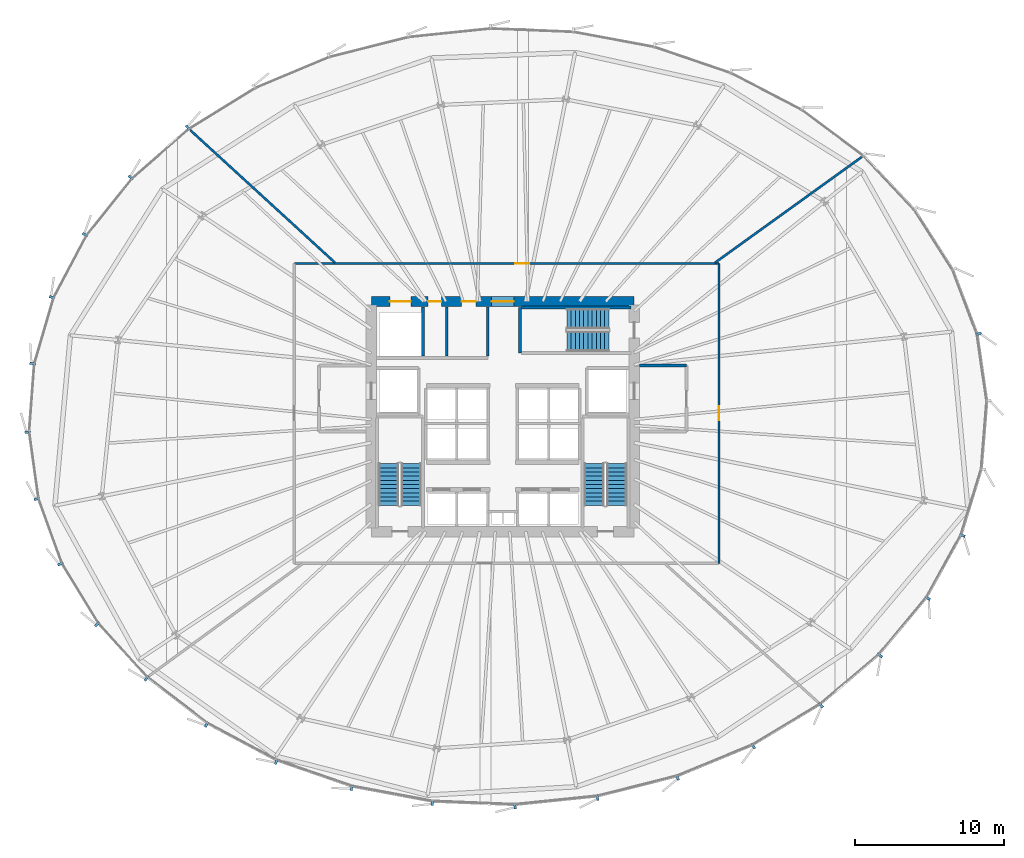
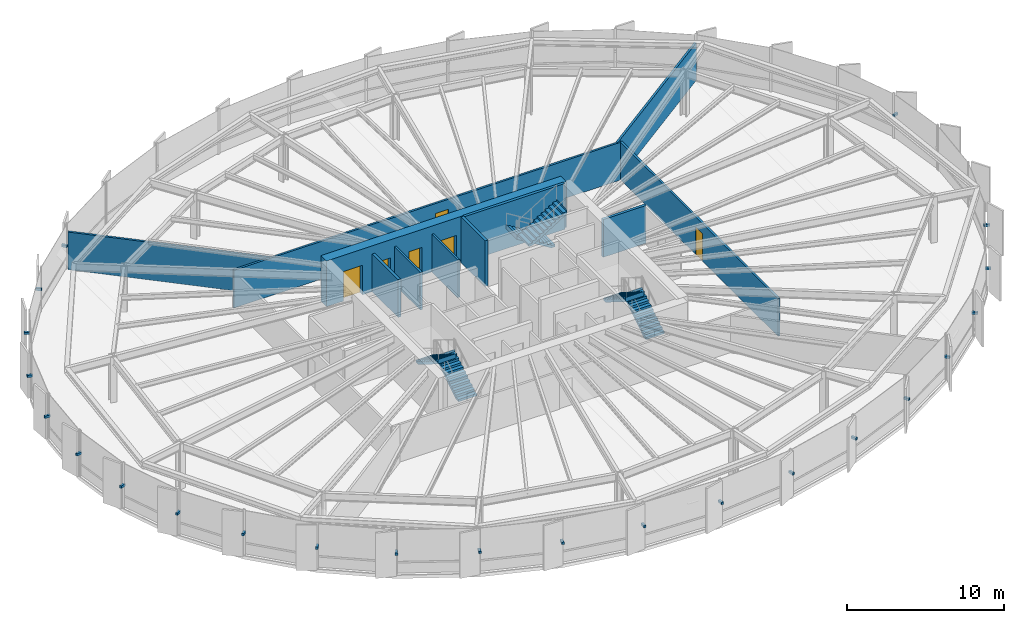
# One storey, part 35 of 42: 23 discrete accessories, 11 walls, 6 doors, 6 stair flights, 6 openings, 3 elements without a shape of their own.
"""IFC4 building model written with IfcOpenShell, lengths in metres."""

from ifc_helpers import new_model, si_unit, direction, frame, frame_2d, origin, origin_2d, place, context, subcontext, project, spatial, polyline, rectangle, outline, extrude, source, transform, mapped, material, layer, layer_set, type_object, element, fill, aggregate, save


model = new_model("IFC4")

# Units and contexts
model_context = context("Model", 3, precision=1e-05, world=origin(), true_north=direction((0.0, 1.0)))
body_context = subcontext(model_context, "Body", "Model", "MODEL_VIEW")
ifc_project = project(units=[si_unit("LENGTHUNIT", "METRE"), si_unit("AREAUNIT", "SQUARE_METRE"), si_unit("VOLUMEUNIT", "CUBIC_METRE"), si_unit("PLANEANGLEUNIT", "RADIAN"), si_unit("MASSUNIT", "GRAM", prefix="KILO"), si_unit("THERMODYNAMICTEMPERATUREUNIT", "KELVIN")], contexts=[model_context])

# Site, building, storey
site_placement = place(None, origin())
site = spatial("IfcSite", under=ifc_project, at=site_placement, CompositionType="ELEMENT")
building_placement = place(site_placement, origin())
building = spatial("IfcBuilding", under=site, at=building_placement, Name="Kethvar Cultural Tower", CompositionType="ELEMENT")
storey_placement = place(building_placement, frame((0.0, 0.0, 37.199951171875)))
storey = spatial("IfcBuildingStorey", under=building, at=storey_placement, Name="L08", CompositionType="ELEMENT", Elevation=37.199951171875)

# Wall, openings, doors
ifc_material_1 = material(Name="Concrete C60/75", Category="concrete")
ifc_layer_1 = layer(ifc_material_1, 0.699951171875, Name="Concrete C60/75", Category="concrete")
ifc_layer_set_1 = layer_set([ifc_layer_1], Name="Concrete C60/75 (700 mm)")
wall_type_1 = type_object("IfcWallType", Name="WL-CORE-700", PredefinedType="SHEAR", material=ifc_layer_set_1)
wall_1_placement = place(storey_placement, frame((55.60009765625, 35.5, 0.0), z_axis=(0.0, 0.0, 1.0), x_axis=(-1.0, 0.0, 0.0)))
wall_1 = element("IfcWall", 1, at=wall_1_placement, inside=storey, type_object=wall_type_1, Name="L08 Core Shear Wall N", PredefinedType="SHEAR", context=body_context, shape_type="SweptSolid", body=[
    extrude(rectangle(XDim=17.60009765625, YDim=0.699951171875, at=frame_2d((8.800048828125, 0.0))), origin(), (0.0, 0.0, 1.0), 3.550048828125),
])
opening_1_placement = place(wall_1_placement, frame((8.050048828125, 0.0, 0.0)))
opening_1 = element("IfcOpeningElement", 2, at=opening_1_placement, cuts=wall_1, Name="Opening D-L08-LN", PredefinedType="OPENING", context=body_context, shape_type="SweptSolid", body=[
    extrude(rectangle(XDim=1.5, YDim=2.199951171875, at=frame_2d((0.75, 1.10009765625))), frame((0.0, 0.35986328125, 0.0), z_axis=(0.0, -1.0, 0.0), x_axis=(1.0, 0.0, 0.0)), (0.0, 0.0, 1.0), 0.719970703125),
])
opening_2_placement = place(wall_1_placement, frame((14.949951171875, 0.0, 0.0)))
opening_2 = element("IfcOpeningElement", 3, at=opening_2_placement, cuts=wall_1, Name="Opening LD-G1", PredefinedType="OPENING", context=body_context, shape_type="SweptSolid", body=[
    extrude(rectangle(XDim=1.39990234375, YDim=2.300048828125, at=frame_2d((0.699951171875, 1.14990234375))), frame((0.0, 0.35986328125, 0.0), z_axis=(0.0, -1.0, 0.0), x_axis=(1.0, 0.0, 0.0)), (0.0, 0.0, 1.0), 0.719970703125),
])
opening_3_placement = place(wall_1_placement, frame((12.89990234375, 0.0, 0.0)))
opening_3 = element("IfcOpeningElement", 4, at=opening_3_placement, cuts=wall_1, Name="Opening D-L08-W1", PredefinedType="OPENING", context=body_context, shape_type="SweptSolid", body=[
    extrude(rectangle(XDim=0.89990234375, YDim=2.14990234375, at=frame_2d((0.449951171875, 1.074951171875))), frame((0.0, 0.35986328125, 0.0), z_axis=(0.0, -1.0, 0.0), x_axis=(1.0, 0.0, 0.0)), (0.0, 0.0, 1.0), 0.719970703125),
])
opening_4_placement = place(wall_1_placement, frame((10.60009765625, 0.0, 0.0)))
opening_4 = element("IfcOpeningElement", 5, at=opening_4_placement, cuts=wall_1, Name="Opening D-L08-W2", PredefinedType="OPENING", context=body_context, shape_type="SweptSolid", body=[
    extrude(rectangle(XDim=0.949951171875, YDim=2.14990234375, at=frame_2d((0.47509765625, 1.074951171875))), frame((0.0, 0.35986328125, 0.0), z_axis=(0.0, -1.0, 0.0), x_axis=(1.0, 0.0, 0.0)), (0.0, 0.0, 1.0), 0.719970703125),
])
ifc_material_2 = material(Name="Architectural Oak Timber", Category="wood")
door_type_1 = type_object("IfcDoorType", Name="DR-DBL-FD60-1500", OperationType="DOUBLE_DOOR_SINGLE_SWING", PredefinedType="DOOR", material=ifc_material_2)
shared_shape_1 = source(origin(), body_context, "Body", "SweptSolid", [
    extrude(rectangle(XDim=1.5, YDim=2.199951171875, at=frame_2d((0.75, 1.10009765625))), frame((0.0, 0.02490234375, 0.0), z_axis=(0.0, -1.0, 0.0), x_axis=(1.0, 0.0, 0.0)), (0.0, 0.0, 1.0), 0.050048828125),
])
door_1_placement = place(opening_1_placement, origin())
door_1 = element("IfcDoor", 6, at=door_1_placement, inside=storey, type_object=door_type_1, Name="L08 Lift Lobby Concourse Door", OperationType="DOUBLE_DOOR_SINGLE_SWING", OverallHeight=2.199951171875, OverallWidth=1.5, PredefinedType="DOOR", context=body_context, shape_type="MappedRepresentation", body=[
    mapped(shared_shape_1, transform((0.0, 0.0, 0.0), scale=1.0)),
])
fill(opening_1, door_1)
ifc_material_3 = material(Name="Steel S355J2", Category="steel")
door_type_2 = type_object("IfcDoorType", Name="DR-LIFT-SLIDE-1400", OperationType="NOTDEFINED", PredefinedType="DOOR", material=ifc_material_3)
shared_shape_2 = source(origin(), body_context, "Body", "SweptSolid", [
    extrude(rectangle(XDim=1.39990234375, YDim=2.300048828125, at=frame_2d((0.699951171875, 1.14990234375))), frame((0.0, 0.02490234375, 0.0), z_axis=(0.0, -1.0, 0.0), x_axis=(1.0, 0.0, 0.0)), (0.0, 0.0, 1.0), 0.050048828125),
])
door_2_placement = place(opening_2_placement, origin())
door_2 = element("IfcDoor", 7, at=door_2_placement, inside=storey, type_object=door_type_2, Name="L08 Goods Lift Landing Door", OperationType="SLIDING_TO_RIGHT", OverallHeight=2.300048828125, OverallWidth=1.39990234375, PredefinedType="DOOR", context=body_context, shape_type="MappedRepresentation", body=[
    mapped(shared_shape_2, transform((0.0, 0.0, 0.0), scale=1.0)),
])
fill(opening_2, door_2)
door_type_3 = type_object("IfcDoorType", Name="DR-FD30-950", OperationType="NOTDEFINED", PredefinedType="DOOR", material=ifc_material_2)
shared_shape_3 = source(origin(), body_context, "Body", "SweptSolid", [
    extrude(rectangle(XDim=0.949951171875, YDim=2.14990234375, at=frame_2d((0.47509765625, 1.074951171875))), frame((0.0, 0.02490234375, 0.0), z_axis=(0.0, -1.0, 0.0), x_axis=(1.0, 0.0, 0.0)), (0.0, 0.0, 1.0), 0.050048828125),
])
door_3_placement = place(opening_4_placement, origin())
door_3 = element("IfcDoor", 8, at=door_3_placement, inside=storey, type_object=door_type_3, Name="L08 Public Washroom Door", OperationType="SINGLE_SWING_RIGHT", OverallHeight=2.14990234375, OverallWidth=0.949951171875, PredefinedType="DOOR", context=body_context, shape_type="MappedRepresentation", body=[
    mapped(shared_shape_3, transform((0.0, 0.0, 0.0), scale=1.0)),
])
fill(opening_4, door_3)
door_type_4 = type_object("IfcDoorType", Name="DR-FD30-900", OperationType="NOTDEFINED", PredefinedType="DOOR", material=ifc_material_2)
shared_shape_4 = source(origin(), body_context, "Body", "SweptSolid", [
    extrude(rectangle(XDim=0.89990234375, YDim=2.14990234375, at=frame_2d((0.449951171875, 1.074951171875))), frame((0.0, 0.02490234375, 0.0), z_axis=(0.0, -1.0, 0.0), x_axis=(1.0, 0.0, 0.0)), (0.0, 0.0, 1.0), 0.050048828125),
])
door_4_placement = place(opening_3_placement, origin())
door_4 = element("IfcDoor", 9, at=door_4_placement, inside=storey, type_object=door_type_4, Name="L08 Accessible Washroom Door", OperationType="SINGLE_SWING_LEFT", OverallHeight=2.14990234375, OverallWidth=0.89990234375, PredefinedType="DOOR", context=body_context, shape_type="MappedRepresentation", body=[
    mapped(shared_shape_4, transform((0.0, 0.0, 0.0), scale=1.0)),
])
fill(opening_3, door_4)

# Wall
ifc_material_4 = material(Name="Gypsum Fireboard Partition")
ifc_layer_2 = layer(ifc_material_4, 0.14990234375, Name="Gypsum Fireboard Partition")
ifc_layer_set_2 = layer_set([ifc_layer_2], Name="Gypsum Fireboard Partition (150 mm)")
wall_type_2 = type_object("IfcWallType", Name="WL-FIRE-150", PredefinedType="PARTITIONING", material=ifc_layer_set_2)
wall_2_placement = place(storey_placement, frame((45.800048828125, 31.85009765625, 0.0), z_axis=(0.0, 0.0, 1.0), x_axis=(0.0, 1.0, 0.0)))
element("IfcWall", 10, at=wall_2_placement, inside=storey, type_object=wall_type_2, Name="L08 Sanitary Spine Wall", PredefinedType="PARTITIONING", context=body_context, shape_type="SweptSolid", body=[
    extrude(rectangle(XDim=3.289794921875, YDim=0.14990234375, at=frame_2d((1.64501953125, 0.0))), origin(), (0.0, 0.0, 1.0), 2.925048828125),
])

# Wall, opening, door
wall_3_placement = place(storey_placement, frame((61.27001953125, 17.97998046875, 0.0), z_axis=(0.0, 0.0, 1.0), x_axis=(0.0, 1.0, 0.0)))
wall_3 = element("IfcWall", 11, at=wall_3_placement, inside=storey, type_object=wall_type_2, Name="L08 Corridor Rated Wall E", PredefinedType="PARTITIONING", context=body_context, shape_type="SweptSolid", body=[
    extrude(rectangle(XDim=20.06005859375, YDim=0.14990234375, at=frame_2d((10.030029296875, 0.0))), origin(), (0.0, 0.0, 1.0), 2.925048828125),
])
opening_5_placement = place(wall_3_placement, frame((9.554931640625, 0.0, 0.0)))
opening_5 = element("IfcOpeningElement", 12, at=opening_5_placement, cuts=wall_3, Name="Opening D-L08-02", PredefinedType="OPENING", context=body_context, shape_type="SweptSolid", body=[
    extrude(rectangle(XDim=0.949951171875, YDim=2.14990234375, at=frame_2d((0.47509765625, 1.074951171875))), frame((0.0, 0.0849609375, 0.0), z_axis=(0.0, -1.0, 0.0), x_axis=(1.0, 0.0, 0.0)), (0.0, 0.0, 1.0), 0.169921875),
])
door_5_placement = place(opening_5_placement, origin())
door_5 = element("IfcDoor", 13, at=door_5_placement, inside=storey, type_object=door_type_3, Name="L08 Sculpture Media Salon 02 Door", OperationType="SINGLE_SWING_RIGHT", OverallHeight=2.14990234375, OverallWidth=0.949951171875, PredefinedType="DOOR", context=body_context, shape_type="MappedRepresentation", body=[
    mapped(shared_shape_3, transform((0.0, 0.0, 0.0), scale=1.0)),
])
fill(opening_5, door_5)

wall_4_placement = place(storey_placement, frame((61.27001953125, 38.0400390625, 0.0), z_axis=(0.0, 0.0, 1.0), x_axis=(-1.0, 0.0, 0.0)))
wall_4 = element("IfcWall", 14, at=wall_4_placement, inside=storey, type_object=wall_type_2, Name="L08 Corridor Rated Wall N", PredefinedType="PARTITIONING", context=body_context, shape_type="SweptSolid", body=[
    extrude(rectangle(XDim=28.419921875, YDim=0.14990234375, at=frame_2d((14.2099609375, 0.0))), origin(), (0.0, 0.0, 1.0), 2.925048828125),
])
opening_6_placement = place(wall_4_placement, frame((12.6982421875, 0.0, 0.0)))
opening_6 = element("IfcOpeningElement", 15, at=opening_6_placement, cuts=wall_4, Name="Opening D-L08-03", PredefinedType="OPENING", context=body_context, shape_type="SweptSolid", body=[
    extrude(rectangle(XDim=0.949951171875, YDim=2.14990234375, at=frame_2d((0.47509765625, 1.074951171875))), frame((0.0, 0.0849609375, 0.0), z_axis=(0.0, -1.0, 0.0), x_axis=(1.0, 0.0, 0.0)), (0.0, 0.0, 1.0), 0.169921875),
])
door_6_placement = place(opening_6_placement, origin())
door_6 = element("IfcDoor", 16, at=door_6_placement, inside=storey, type_object=door_type_3, Name="L08 Collection Archive Storage 03 Door", OperationType="SINGLE_SWING_LEFT", OverallHeight=2.14990234375, OverallWidth=0.949951171875, PredefinedType="DOOR", context=body_context, shape_type="MappedRepresentation", body=[
    mapped(shared_shape_3, transform((0.0, 0.0, 0.0), scale=1.0)),
])
fill(opening_6, door_6)

# Walls
ifc_material_5 = material(Name="Concrete C40/50", Category="concrete")
ifc_layer_3 = layer(ifc_material_5, 0.199951171875, Name="Concrete C40/50", Category="concrete")
ifc_layer_set_3 = layer_set([ifc_layer_3], Name="Concrete C40/50 (200 mm)")
wall_type_3 = type_object("IfcWallType", Name="WL-FIRE-200", PredefinedType="PARTITIONING", material=ifc_layer_set_3)
wall_5_placement = place(storey_placement, frame((55.9599609375, 31.199951171875, 0.0), z_axis=(0.0, 0.0, 1.0), x_axis=(1.0, 0.0, 0.0)))
element("IfcWall", 17, at=wall_5_placement, inside=storey, type_object=wall_type_3, Name="L08 FF Lobby 2 North Wall", PredefinedType="PARTITIONING", context=body_context, shape_type="SweptSolid", body=[
    extrude(rectangle(XDim=3.14013671875, YDim=0.199951171875, at=frame_2d((1.570068359375, 0.0))), origin(), (0.0, 0.0, 1.0), 2.925048828125),
])
wall_6_placement = place(storey_placement, frame((41.449951171875, 31.85009765625, 0.0), z_axis=(0.0, 0.0, 1.0), x_axis=(0.0, 1.0, 0.0)))
element("IfcWall", 18, at=wall_6_placement, inside=storey, type_object=wall_type_3, Name="L08 NW Core Pocket Wall", PredefinedType="PARTITIONING", context=body_context, shape_type="SweptSolid", body=[
    extrude(rectangle(XDim=3.289794921875, YDim=0.199951171875, at=frame_2d((1.64501953125, 0.0))), origin(), (0.0, 0.0, 1.0), 2.925048828125),
])
ifc_material_6 = material(Name="Gypsum Acoustic Partition")
ifc_layer_4 = layer(ifc_material_6, 0.14990234375, Name="Gypsum Acoustic Partition")
ifc_layer_set_4 = layer_set([ifc_layer_4], Name="Gypsum Acoustic Partition (150 mm)")
wall_type_4 = type_object("IfcWallType", Name="WL-PART-150", PredefinedType="PARTITIONING", material=ifc_layer_set_4)
wall_7_placement = place(storey_placement, frame((60.994140625, 38.0869140625, 0.0), z_axis=(0.0, 0.0, 1.0), x_axis=(0.811422427455, 0.584460130567, 0.0)))
element("IfcWall", 19, at=wall_7_placement, inside=storey, type_object=wall_type_4, Name="L08 Radial Partition Wall 03", PredefinedType="PARTITIONING", context=body_context, shape_type="SweptSolid", body=[
    extrude(rectangle(XDim=12.125244140625, YDim=0.14990234375, at=frame_2d((6.0625, 0.0))), origin(), (0.0, 0.0, 1.0), 2.925048828125),
])
wall_8_placement = place(storey_placement, frame((35.578857421875, 38.093994140625, 0.0), z_axis=(0.0, 0.0, 1.0), x_axis=(-0.737564479252, 0.675276712871, 0.0)))
element("IfcWall", 20, at=wall_8_placement, inside=storey, type_object=wall_type_4, Name="L08 Radial Partition Wall 04", PredefinedType="PARTITIONING", context=body_context, shape_type="SweptSolid", body=[
    extrude(rectangle(XDim=13.134521484375, YDim=0.14990234375, at=frame_2d((6.5673828125, 0.0))), origin(), (0.0, 0.0, 1.0), 2.925048828125),
])
ifc_material_7 = material(Name="Moisture-Resistant Sanitary Chase Wall")
ifc_layer_5 = layer(ifc_material_7, 0.14990234375, Name="Moisture-Resistant Sanitary Chase Wall")
ifc_layer_set_5 = layer_set([ifc_layer_5], Name="Moisture-Resistant Sanitary Chase Wall (150 mm)")
wall_type_5 = type_object("IfcWallType", Name="WL-PLUMB-150", PredefinedType="PLUMBINGWALL", material=ifc_layer_set_5)
wall_9_placement = place(storey_placement, frame((43.050048828125, 31.85009765625, 0.0), z_axis=(0.0, 0.0, 1.0), x_axis=(0.0, 1.0, 0.0)))
element("IfcWall", 21, at=wall_9_placement, inside=storey, type_object=wall_type_5, Name="L08 Sanitary Plumbing Wall", PredefinedType="PLUMBINGWALL", context=body_context, shape_type="SweptSolid", body=[
    extrude(rectangle(XDim=3.289794921875, YDim=0.14990234375, at=frame_2d((1.64501953125, 0.0))), origin(), (0.0, 0.0, 1.0), 2.925048828125),
])
ifc_material_8 = material(Name="Concrete C50/60", Category="concrete")
ifc_layer_6 = layer(ifc_material_8, 0.199951171875, Name="Concrete C50/60", Category="concrete")
ifc_layer_set_6 = layer_set([ifc_layer_6], Name="Concrete C50/60 (200 mm)")
wall_type_6 = type_object("IfcWallType", Name="WL-STSHAFT-200", PredefinedType="SHEAR", material=ifc_layer_set_6)
wall_10_placement = place(storey_placement, frame((47.949951171875, 32.050048828125, 0.0), z_axis=(0.0, 0.0, 1.0), x_axis=(0.0, 1.0, 0.0)))
element("IfcWall", 22, at=wall_10_placement, inside=storey, type_object=wall_type_6, Name="L08 ST-03 Stair Shaft Wall FAR", PredefinedType="SHEAR", context=body_context, shape_type="SweptSolid", body=[
    extrude(rectangle(XDim=3.06005859375, YDim=0.199951171875, at=frame_2d((1.530029296875, 0.0))), origin(), (0.0, 0.0, 1.0), 3.550048828125),
])
wall_11_placement = place(storey_placement, frame((48.050048828125, 35.110107421875, 0.0), z_axis=(0.0, 0.0, 1.0), x_axis=(1.0, 0.0, 0.0)))
element("IfcWall", 23, at=wall_11_placement, inside=storey, type_object=wall_type_6, Name="L08 ST-03 Stair Shaft Wall LEFT", PredefinedType="SHEAR", context=body_context, shape_type="SweptSolid", body=[
    extrude(rectangle(XDim=7.349853515625, YDim=0.199951171875, at=frame_2d((3.6748046875, 0.0))), origin(), (0.0, 0.0, 1.0), 3.550048828125),
])

# Stair, stair flights
stair_type = type_object("IfcStairType", Name="ST-DOGLEG-135", PredefinedType="HALF_TURN_STAIR", material=ifc_material_5)
stair_1_placement = place(storey_placement, origin())
stair_1 = element("IfcStair", 24, at=stair_1_placement, inside=storey, type_object=stair_type, Name="L08 Core Exit Stair 1", PredefinedType="HALF_TURN_STAIR")
stair_flight_type = type_object("IfcStairFlightType", Name="FL-STRAIGHT-135", PredefinedType="STRAIGHT", material=ifc_material_5)
stair_flight_1_placement = place(storey_placement, frame((40.675048828125, 21.85009765625, 0.0), z_axis=(0.0, 0.0, 1.0), x_axis=(0.0, 1.0, 0.0)))
stair_flight_1 = element("IfcStairFlight", 25, at=stair_flight_1_placement, type_object=stair_flight_type, Name="ST-01 flight 1", NumberOfRisers=11, NumberOfTreads=10, PredefinedType="STRAIGHT", RiserHeight=0.172727273, TreadLength=0.28, context=body_context, shape_type="SweptSolid", body=[
    extrude(outline(polyline([(-0.0009765625, -0.0009765625), (-0.0009765625, 0.172607421875), (0.280029296875, 0.172607421875), (0.280029296875, 0.345458984375), (0.56005859375, 0.345458984375), (0.56005859375, 0.51806640625), (0.840087890625, 0.51806640625), (0.840087890625, 0.69091796875), (1.1201171875, 0.69091796875), (1.1201171875, 0.863525390625), (1.39990234375, 0.863525390625), (1.39990234375, 1.036376953125), (1.679931640625, 1.036376953125), (1.679931640625, 1.208984375), (1.9599609375, 1.208984375), (1.9599609375, 1.3818359375), (2.239990234375, 1.3818359375), (2.239990234375, 1.554443359375), (2.52001953125, 1.554443359375), (2.52001953125, 1.727294921875), (2.800048828125, 1.727294921875), (2.800048828125, 1.89990234375), (2.801025390625, 1.89990234375), (2.801025390625, 1.551025390625), (0.285400390625, 0.0), (0.0, -0.0009765625), (-0.0009765625, -0.0009765625)])), frame((0.0, 0.675048828125, 0.0), z_axis=(0.0, -1.0, 0.0), x_axis=(1.0, 0.0, 0.0)), (0.0, 0.0, 1.0), 1.35009765625),
])
stair_flight_2_placement = place(storey_placement, frame((39.1650390625, 24.64990234375, 1.900146484375), z_axis=(0.0, 0.0, 1.0), x_axis=(0.0, -1.0, 0.0)))
stair_flight_2 = element("IfcStairFlight", 26, at=stair_flight_2_placement, type_object=stair_flight_type, Name="ST-01 flight 2", NumberOfRisers=11, NumberOfTreads=10, PredefinedType="STRAIGHT", RiserHeight=0.172727273, TreadLength=0.28, context=body_context, shape_type="SweptSolid", body=[
    extrude(outline(polyline([(-0.0009765625, -0.0009765625), (-0.0009765625, 0.172607421875), (0.280029296875, 0.172607421875), (0.280029296875, 0.345458984375), (0.56005859375, 0.345458984375), (0.56005859375, 0.51806640625), (0.840087890625, 0.51806640625), (0.840087890625, 0.69091796875), (1.1201171875, 0.69091796875), (1.1201171875, 0.863525390625), (1.39990234375, 0.863525390625), (1.39990234375, 1.036376953125), (1.679931640625, 1.036376953125), (1.679931640625, 1.208984375), (1.9599609375, 1.208984375), (1.9599609375, 1.3818359375), (2.239990234375, 1.3818359375), (2.239990234375, 1.554443359375), (2.52001953125, 1.554443359375), (2.52001953125, 1.727294921875), (2.800048828125, 1.727294921875), (2.800048828125, 1.89990234375), (2.801025390625, 1.89990234375), (2.801025390625, 1.551025390625), (0.285400390625, 0.0), (0.0, -0.0009765625), (-0.0009765625, -0.0009765625)])), frame((0.0, 0.675048828125, 0.0), z_axis=(0.0, -1.0, 0.0), x_axis=(1.0, 0.0, 0.0)), (0.0, 0.0, 1.0), 1.35009765625),
])
aggregate(stair_1, [stair_flight_1, stair_flight_2])

stair_2_placement = place(storey_placement, origin())
stair_2 = element("IfcStair", 27, at=stair_2_placement, inside=storey, type_object=stair_type, Name="L08 Core Exit Stair 2", PredefinedType="HALF_TURN_STAIR")
stair_flight_3_placement = place(storey_placement, frame((54.43505859375, 21.85009765625, 0.0), z_axis=(0.0, 0.0, 1.0), x_axis=(0.0, 1.0, 0.0)))
stair_flight_3 = element("IfcStairFlight", 28, at=stair_flight_3_placement, type_object=stair_flight_type, Name="ST-02 flight 1", NumberOfRisers=11, NumberOfTreads=10, PredefinedType="STRAIGHT", RiserHeight=0.172727273, TreadLength=0.28, context=body_context, shape_type="SweptSolid", body=[
    extrude(outline(polyline([(-0.0009765625, -0.0009765625), (-0.0009765625, 0.172607421875), (0.280029296875, 0.172607421875), (0.280029296875, 0.345458984375), (0.56005859375, 0.345458984375), (0.56005859375, 0.51806640625), (0.840087890625, 0.51806640625), (0.840087890625, 0.69091796875), (1.1201171875, 0.69091796875), (1.1201171875, 0.863525390625), (1.39990234375, 0.863525390625), (1.39990234375, 1.036376953125), (1.679931640625, 1.036376953125), (1.679931640625, 1.208984375), (1.9599609375, 1.208984375), (1.9599609375, 1.3818359375), (2.239990234375, 1.3818359375), (2.239990234375, 1.554443359375), (2.52001953125, 1.554443359375), (2.52001953125, 1.727294921875), (2.800048828125, 1.727294921875), (2.800048828125, 1.89990234375), (2.801025390625, 1.89990234375), (2.801025390625, 1.551025390625), (0.285400390625, 0.0), (0.0, -0.0009765625), (-0.0009765625, -0.0009765625)])), frame((0.0, 0.675048828125, 0.0), z_axis=(0.0, -1.0, 0.0), x_axis=(1.0, 0.0, 0.0)), (0.0, 0.0, 1.0), 1.35009765625),
])
stair_flight_4_placement = place(storey_placement, frame((52.925048828125, 24.64990234375, 1.900146484375), z_axis=(0.0, 0.0, 1.0), x_axis=(0.0, -1.0, 0.0)))
stair_flight_4 = element("IfcStairFlight", 29, at=stair_flight_4_placement, type_object=stair_flight_type, Name="ST-02 flight 2", NumberOfRisers=11, NumberOfTreads=10, PredefinedType="STRAIGHT", RiserHeight=0.172727273, TreadLength=0.28, context=body_context, shape_type="SweptSolid", body=[
    extrude(outline(polyline([(-0.0009765625, -0.0009765625), (-0.0009765625, 0.172607421875), (0.280029296875, 0.172607421875), (0.280029296875, 0.345458984375), (0.56005859375, 0.345458984375), (0.56005859375, 0.51806640625), (0.840087890625, 0.51806640625), (0.840087890625, 0.69091796875), (1.1201171875, 0.69091796875), (1.1201171875, 0.863525390625), (1.39990234375, 0.863525390625), (1.39990234375, 1.036376953125), (1.679931640625, 1.036376953125), (1.679931640625, 1.208984375), (1.9599609375, 1.208984375), (1.9599609375, 1.3818359375), (2.239990234375, 1.3818359375), (2.239990234375, 1.554443359375), (2.52001953125, 1.554443359375), (2.52001953125, 1.727294921875), (2.800048828125, 1.727294921875), (2.800048828125, 1.89990234375), (2.801025390625, 1.89990234375), (2.801025390625, 1.551025390625), (0.285400390625, 0.0), (0.0, -0.0009765625), (-0.0009765625, -0.0009765625)])), frame((0.0, 0.675048828125, 0.0), z_axis=(0.0, -1.0, 0.0), x_axis=(1.0, 0.0, 0.0)), (0.0, 0.0, 1.0), 1.35009765625),
])
aggregate(stair_2, [stair_flight_3, stair_flight_4])

stair_3_placement = place(storey_placement, origin())
stair_3 = element("IfcStair", 30, at=stair_3_placement, inside=storey, type_object=stair_type, Name="L08 Core Exit Stair 3", PredefinedType="HALF_TURN_STAIR")
stair_flight_5_placement = place(storey_placement, frame((53.89990234375, 34.3349609375, 0.0), z_axis=(0.0, 0.0, 1.0), x_axis=(-1.0, 0.0, 0.0)))
stair_flight_5 = element("IfcStairFlight", 31, at=stair_flight_5_placement, type_object=stair_flight_type, Name="ST-03 flight 1", NumberOfRisers=11, NumberOfTreads=10, PredefinedType="STRAIGHT", RiserHeight=0.172727273, TreadLength=0.28, context=body_context, shape_type="SweptSolid", body=[
    extrude(outline(polyline([(-0.0009765625, -0.0009765625), (-0.0009765625, 0.172607421875), (0.280029296875, 0.172607421875), (0.280029296875, 0.345458984375), (0.56005859375, 0.345458984375), (0.56005859375, 0.51806640625), (0.840087890625, 0.51806640625), (0.840087890625, 0.69091796875), (1.1201171875, 0.69091796875), (1.1201171875, 0.863525390625), (1.39990234375, 0.863525390625), (1.39990234375, 1.036376953125), (1.679931640625, 1.036376953125), (1.679931640625, 1.208984375), (1.9599609375, 1.208984375), (1.9599609375, 1.3818359375), (2.239990234375, 1.3818359375), (2.239990234375, 1.554443359375), (2.52001953125, 1.554443359375), (2.52001953125, 1.727294921875), (2.800048828125, 1.727294921875), (2.800048828125, 1.89990234375), (2.801025390625, 1.89990234375), (2.801025390625, 1.551025390625), (0.285400390625, 0.0), (0.0, -0.0009765625), (-0.0009765625, -0.0009765625)])), frame((0.0, 0.675048828125, 0.0), z_axis=(0.0, -1.0, 0.0), x_axis=(1.0, 0.0, 0.0)), (0.0, 0.0, 1.0), 1.35009765625),
])
stair_flight_6_placement = place(storey_placement, frame((51.10009765625, 32.824951171875, 1.900146484375), z_axis=(0.0, 0.0, 1.0), x_axis=(1.0, 0.0, 0.0)))
stair_flight_6 = element("IfcStairFlight", 32, at=stair_flight_6_placement, type_object=stair_flight_type, Name="ST-03 flight 2", NumberOfRisers=11, NumberOfTreads=10, PredefinedType="STRAIGHT", RiserHeight=0.172727273, TreadLength=0.28, context=body_context, shape_type="SweptSolid", body=[
    extrude(outline(polyline([(-0.0009765625, -0.0009765625), (-0.0009765625, 0.172607421875), (0.280029296875, 0.172607421875), (0.280029296875, 0.345458984375), (0.56005859375, 0.345458984375), (0.56005859375, 0.51806640625), (0.840087890625, 0.51806640625), (0.840087890625, 0.69091796875), (1.1201171875, 0.69091796875), (1.1201171875, 0.863525390625), (1.39990234375, 0.863525390625), (1.39990234375, 1.036376953125), (1.679931640625, 1.036376953125), (1.679931640625, 1.208984375), (1.9599609375, 1.208984375), (1.9599609375, 1.3818359375), (2.239990234375, 1.3818359375), (2.239990234375, 1.554443359375), (2.52001953125, 1.554443359375), (2.52001953125, 1.727294921875), (2.800048828125, 1.727294921875), (2.800048828125, 1.89990234375), (2.801025390625, 1.89990234375), (2.801025390625, 1.551025390625), (0.285400390625, 0.0), (0.0, -0.0009765625), (-0.0009765625, -0.0009765625)])), frame((0.0, 0.675048828125, 0.0), z_axis=(0.0, -1.0, 0.0), x_axis=(1.0, 0.0, 0.0)), (0.0, 0.0, 1.0), 1.35009765625),
])
aggregate(stair_3, [stair_flight_5, stair_flight_6])

# Discrete accessories
discrete_accessory_type = type_object("IfcDiscreteAccessoryType", Name="Steel Fin Bracket BRK-01", PredefinedType="BRACKET", material=ifc_material_3)
shared_shape_5 = source(origin(), body_context, "Body", "SweptSolid", [
    extrude(rectangle(XDim=0.3798828125, YDim=0.159912109375, at=origin_2d()), origin(), (0.0, 0.0, 1.0), 0.179931640625),
])
for number, where, z_axis, x_axis, name in (
    (33, (78.658203125, 33.335693359375, 1.68505859375), (0.0, 0.0, 1.0), (0.935011481814, 0.354617440174, 0.0), "L08 Terracotta Fin Bracket 1.2"),
    (34, (25.724609375, 47.135498046875, 1.68505859375), (0.0, 0.0, 1.0), (-0.657901172046, 0.753104274202, 0.0), "L08 Terracotta Fin Bracket 3.2"),
    (35, (21.904541015625, 43.7978515625, 1.68505859375), (0.0, 0.0, 1.0), (-0.780430407338, 0.625242656336, 0.0), "L08 Terracotta Fin Bracket 3.3"),
    (36, (18.841064453125, 39.97412109375, 1.68505859375), (0.0, 0.0, 1.0), (-0.884336654496, 0.466849741903, 0.0), "L08 Terracotta Fin Bracket 3.4"),
    (37, (16.627197265625, 35.780029296875, 1.68505859375), (0.0, 0.0, 1.0), (-0.959805291975, 0.280666708921, 0.0), "L08 Terracotta Fin Bracket 3.5"),
    (38, (15.330078125, 31.343505859375, 1.68505859375), (0.0, 0.0, 1.0), (-0.997198204594, 0.074804684047, 0.0), "L08 Terracotta Fin Bracket 3.6"),
    (39, (14.9951171875, 26.75732421875, 1.68505859375), (0.0, 0.0, 1.0), (-0.990533436751, -0.137271667431, 0.0), "L08 Terracotta Fin Bracket 4.1"),
    (40, (15.614990234375, 22.285400390625, 1.68505859375), (0.0, 0.0, 1.0), (-0.94028812701, -0.340379550213, 0.0), "L08 Terracotta Fin Bracket 4.2"),
    (41, (17.188720703125, 17.939453125, 1.68505859375), (0.0, 0.0, 1.0), (-0.85327788028, -0.521456478554, 0.0), "L08 Terracotta Fin Bracket 4.3"),
    (42, (19.661865234375, 13.89306640625, 1.68505859375), (0.0, 0.0, 1.0), (-0.739631094979, -0.67301251351, 0.0), "L08 Terracotta Fin Bracket 4.4"),
    (43, (22.959716796875, 10.269287109375, 1.68505859375), (0.0, 0.0, 1.0), (-0.609315145729, -0.792928151339, 0.0), "L08 Terracotta Fin Bracket 4.5"),
    (44, (26.981689453125, 7.17822265625, 1.68505859375), (0.0, 0.0, 1.0), (-0.470395925757, -0.882455479348, 0.0), "L08 Terracotta Fin Bracket 4.6"),
    (45, (31.6455078125, 4.7001953125, 1.68505859375), (0.0, 0.0, 1.0), (-0.327547728433, -0.944834633996, 0.0), "L08 Terracotta Fin Bracket 5.1"),
    (46, (36.69140625, 2.950927734375, 1.68505859375), (0.0, 0.0, 1.0), (-0.18377979323, -0.982967439746, 0.0), "L08 Terracotta Fin Bracket 5.2"),
    (47, (42.084228515625, 1.94287109375, 1.68505859375), (0.0, 0.0, 1.0), (-0.040131792533, -0.999194395114, 0.0), "L08 Terracotta Fin Bracket 5.3"),
    (48, (47.620361328125, 1.720458984375, 1.68505859375), (0.0, 0.0, 1.0), (0.102792536787, -0.994702817117, 0.0), "L08 Terracotta Fin Bracket 5.4"),
    (49, (53.140380859375, 2.29052734375, 1.68505859375), (0.0, 0.0, 1.0), (0.243615011786, -0.969872015285, 0.0), "L08 Terracotta Fin Bracket 5.5"),
    (50, (58.498046875, 3.63671875, 1.68505859375), (0.0, 0.0, 1.0), (0.381715738328, -0.924279771018, 0.0), "L08 Terracotta Fin Bracket 5.6"),
    (51, (63.574951171875, 5.739990234375, 1.68505859375), (0.0, 0.0, 1.0), (0.516234403806, -0.856447336576, 0.0), "L08 Terracotta Fin Bracket 6.1"),
    (52, (68.107177734375, 8.4716796875, 1.68505859375), (0.0, 0.0, 1.0), (0.646123979643, -0.763232469783, 0.0), "L08 Terracotta Fin Bracket 6.2"),
    (53, (72.054443359375, 11.813232421875, 1.68505859375), (0.0, 0.0, 1.0), (0.767948257639, -0.640511884034, 0.0), "L08 Terracotta Fin Bracket 6.3"),
    (54, (75.2470703125, 15.64111328125, 1.68505859375), (0.0, 0.0, 1.0), (0.874788884333, -0.484504290844, 0.0), "L08 Terracotta Fin Bracket 6.4"),
    (55, (77.57177734375, 19.838623046875, 1.68505859375), (0.0, 0.0, 1.0), (0.955433063541, -0.295207826951, 0.0), "L08 Terracotta Fin Bracket 6.5"),
):
    element("IfcDiscreteAccessory", number, at=place(storey_placement, frame(where, z_axis=z_axis, x_axis=x_axis)), inside=storey, type_object=discrete_accessory_type, Name=name, PredefinedType="BRACKET", context=body_context, shape_type="MappedRepresentation", body=[
        mapped(shared_shape_5, transform((0.0, 0.0, 0.0), scale=1.0)),
    ])

save(model, "model.ifc")
